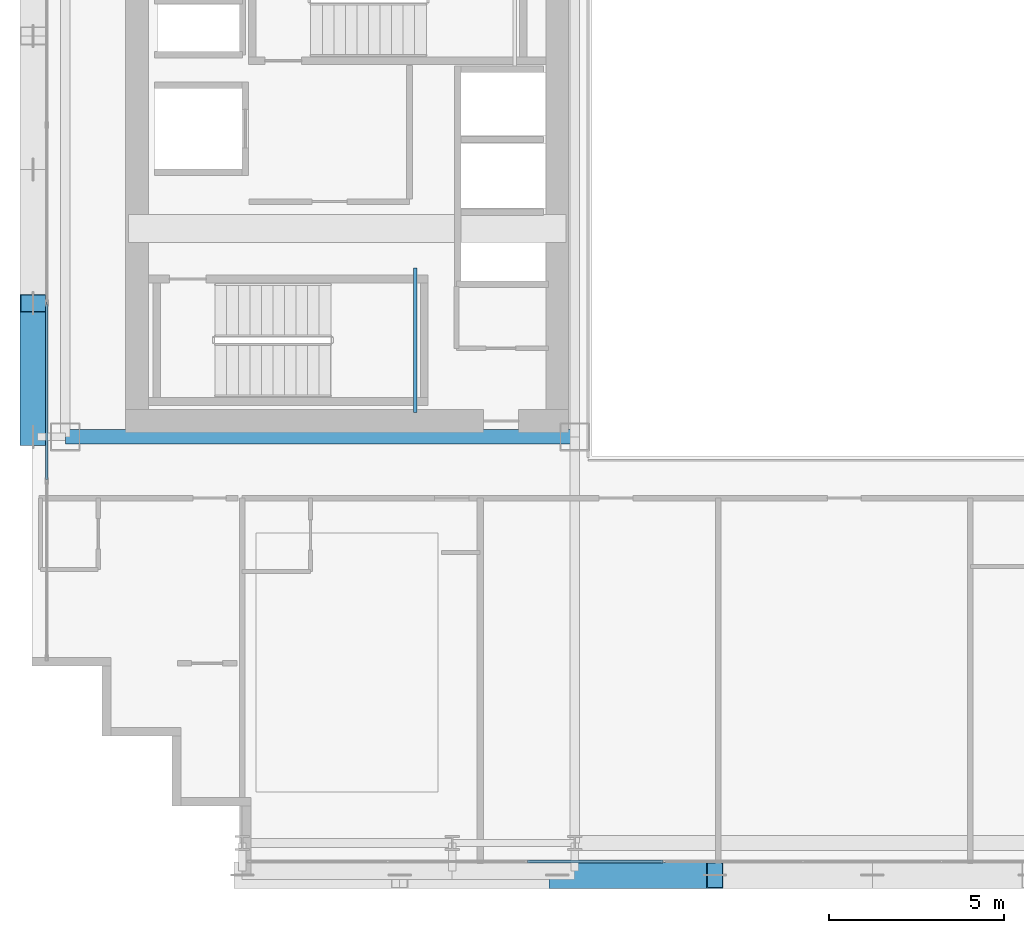
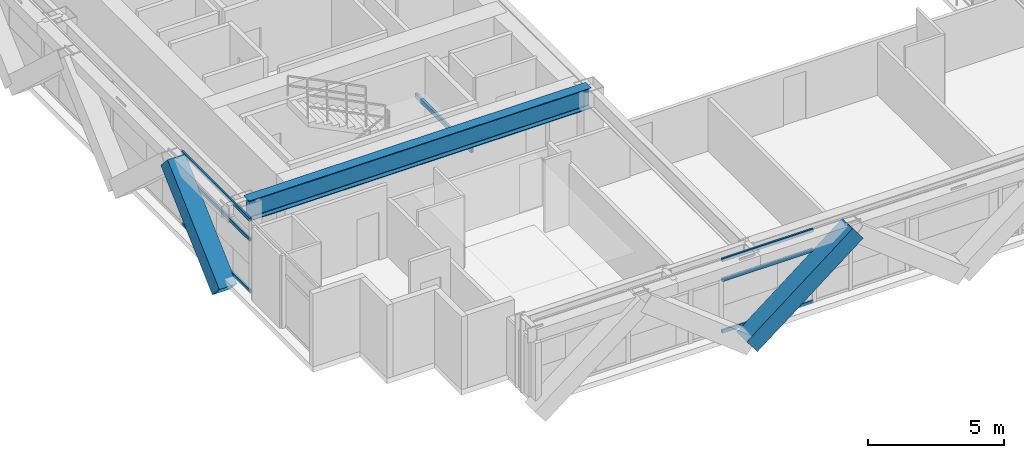
# One storey, part 4 of 36: 8 members, 2 beams, 2 elements without a shape of their own.
"""IFC4 building model written with IfcOpenShell, lengths in metres."""

from ifc_helpers import new_model, si_unit, direction, frame, origin, origin_2d, place, context, subcontext, project, spatial, hollow_rectangle, i_section, extrude, source, transform, mapped, material, layer, layer_set, material_profile, profile_set, type_object, element, aggregate, save


model = new_model("IFC4")

# Units and contexts
model_context = context("Model", 3, precision=1e-05, world=origin(), true_north=direction((0.0, 1.0)))
body_context = subcontext(model_context, "Body", "Model", "MODEL_VIEW")
ifc_project = project(units=[si_unit("LENGTHUNIT", "METRE"), si_unit("AREAUNIT", "SQUARE_METRE"), si_unit("VOLUMEUNIT", "CUBIC_METRE"), si_unit("PLANEANGLEUNIT", "RADIAN"), si_unit("MASSUNIT", "GRAM", prefix="KILO")], contexts=[model_context])

# Site, building, storey
site_placement = place(None, origin())
site = spatial("IfcSite", under=ifc_project, at=site_placement, CompositionType="ELEMENT")
building_placement = place(site_placement, origin())
building = spatial("IfcBuilding", under=site, at=building_placement, Name="Ocotamira Hotel", CompositionType="ELEMENT")
storey_placement = place(building_placement, frame((0.0, 0.0, 147.60009765625)))
storey = spatial("IfcBuildingStorey", under=building, at=storey_placement, Name="L37", CompositionType="ELEMENT", Elevation=147.60009765625)

# Beams
ifc_material_1 = material(Name="Steel ASTM A500 Grade C", Category="steel")
ifc_material_profile_1 = material_profile(ifc_material_1, hollow_rectangle(XDim=0.10009765625, YDim=0.199951171875, WallThickness=0.008056640625, at=origin_2d()), Name="HSS200X100X8")
ifc_profile_set_1 = profile_set([ifc_material_profile_1], Name="Steel ASTM A500 Grade C")
beam_type_1 = type_object("IfcBeamType", Name="BM-STLDG-HSS200", PredefinedType="BEAM", material=ifc_profile_set_1)
shared_shape_1 = source(origin(), body_context, "Body", "SweptSolid", [
    extrude(hollow_rectangle(XDim=0.10009765625, YDim=0.199951171875, WallThickness=0.008056640625, at=origin_2d()), origin(), (0.0, 0.0, 1.0), 4.1201171875),
])
beam_1_placement = place(storey_placement, frame((18.949951171875, 15.25, 1.5), z_axis=(0.0, 1.0, 0.0), x_axis=(-1.0, 0.0, 0.0)))
element("IfcBeam", 1, at=beam_1_placement, inside=storey, type_object=beam_type_1, Name="L37 Stair ST-1 Landing Bearer 1", PredefinedType="BEAM", context=body_context, shape_type="MappedRepresentation", body=[
    mapped(shared_shape_1, transform((0.0, 0.0, 0.0), scale=1.0)),
])
ifc_material_2 = material(Name="Steel ASTM A992 Grade 50", Category="steel")
ifc_material_profile_2 = material_profile(ifc_material_2, i_section(OverallWidth=0.41796875, OverallDepth=0.927001953125, WebThickness=0.019287109375, FlangeThickness=0.031982421875, FilletRadius=0.02392578125, at=origin_2d()), Name="W36X231")
ifc_profile_set_2 = profile_set([ifc_material_profile_2], Name="Steel ASTM A992 Grade 50")
beam_type_2 = type_object("IfcBeamType", Name="BM-GIRD-W36X231", PredefinedType="BEAM", material=ifc_profile_set_2)
shared_shape_2 = source(origin(), body_context, "Body", "SweptSolid", [
    extrude(i_section(OverallWidth=0.41796875, OverallDepth=0.927001953125, WebThickness=0.019287109375, FlangeThickness=0.031982421875, FilletRadius=0.02392578125, at=origin_2d()), origin(), (0.0, 0.0, 1.0), 14.550048828125),
])
beam_2_placement = place(storey_placement, frame((8.949951171875, 14.550048828125, 2.81640625), z_axis=(1.0, 0.0, 0.0), x_axis=(0.0, 1.0, 0.0)))
element("IfcBeam", 2, at=beam_2_placement, inside=storey, type_object=beam_type_2, Name="L37 Girder Y14.55 X8.95-23.5", PredefinedType="BEAM", context=body_context, shape_type="MappedRepresentation", body=[
    mapped(shared_shape_2, transform((0.0, 0.0, 0.0), scale=1.0)),
])

# Members
ifc_material_3 = material(Name="Pale-metal coated steel ASTM A913 Grade 65", Category="steel")
ifc_material_profile_3 = material_profile(ifc_material_3, hollow_rectangle(XDim=0.75, YDim=0.75, WallThickness=0.028076171875, at=origin_2d()), Name="BOX750X750X28")
ifc_profile_set_3 = profile_set([ifc_material_profile_3], Name="Pale-metal coated steel ASTM A913 Grade 65")
member_type_1 = type_object("IfcMemberType", Name="MEM-EXO-BOX750", PredefinedType="BRACE", material=ifc_profile_set_3)
shared_shape_3 = source(origin(), body_context, "Body", "SweptSolid", [
    extrude(hollow_rectangle(XDim=0.75, YDim=0.75, WallThickness=0.028076171875, at=origin_2d()), origin(), (0.0, 0.0, 1.0), 5.713134765625),
])
member_1_placement = place(storey_placement, frame((23.0, 2.030029296875, -0.489990234375), z_axis=(0.787671799809, 0.0, 0.616095070412), x_axis=(0.0, 1.0, 0.0)))
element("IfcMember", 3, at=member_1_placement, inside=storey, type_object=member_type_1, Name="L37 Exoskeleton Diagrid S1.1", PredefinedType="BRACE", context=body_context, shape_type="MappedRepresentation", body=[
    mapped(shared_shape_3, transform((0.0, 0.0, 0.0), scale=1.0)),
])
shared_shape_4 = source(origin(), body_context, "Body", "SweptSolid", [
    extrude(hollow_rectangle(XDim=0.75, YDim=0.75, WallThickness=0.028076171875, at=origin_2d()), origin(), (0.0, 0.0, 1.0), 5.19189453125),
])
member_2_placement = place(storey_placement, frame((8.030029296875, 14.550048828125, -0.489990234375), z_axis=(0.0, 0.735118858477, 0.677938244909), x_axis=(-1.0, 0.0, 0.0)))
element("IfcMember", 4, at=member_2_placement, inside=storey, type_object=member_type_1, Name="L37 Exoskeleton Diagrid W0.1", PredefinedType="BRACE", context=body_context, shape_type="MappedRepresentation", body=[
    mapped(shared_shape_4, transform((0.0, 0.0, 0.0), scale=1.0)),
])

# Curtain wall, members
ifc_material_4 = material(Name="Anodised pale-metal aluminium and solar glass", Category="aluminium")
ifc_layer = layer(ifc_material_4, 0.179931640625)
ifc_layer_set = layer_set([ifc_layer], Name="Anodised pale-metal aluminium and solar glass")
curtain_wall_type = type_object("IfcCurtainWallType", Name="CW-SYS3-Z2", PredefinedType="NOTDEFINED", material=ifc_layer_set)
curtain_wall_1_placement = place(storey_placement, origin())
curtain_wall_1 = element("IfcCurtainWall", 5, at=curtain_wall_1_placement, inside=storey, type_object=curtain_wall_type, Name="L37 Curtain Wall CW-3 CW-L37-S1", PredefinedType="NOTDEFINED")
ifc_material_5 = material(Name="Anodised pale-metal aluminium 6063-T6", Category="aluminium")
ifc_material_profile_4 = material_profile(ifc_material_5, hollow_rectangle(XDim=0.074951171875, YDim=0.14990234375, WallThickness=0.006103515625, at=origin_2d()), Name="HSS150X75X6")
ifc_profile_set_4 = profile_set([ifc_material_profile_4], Name="Anodised pale-metal aluminium 6063-T6")
member_type_2 = type_object("IfcMemberType", Name="CWT-150X75", PredefinedType="USERDEFINED", material=ifc_profile_set_4)
shared_shape_5 = source(origin(), body_context, "Body", "SweptSolid", [
    extrude(hollow_rectangle(XDim=0.074951171875, YDim=0.14990234375, WallThickness=0.006103515625, at=origin_2d()), origin(), (0.0, 0.0, 1.0), 3.87548828125),
])
member_3_placement = place(storey_placement, frame((22.151123046875, 2.419921875, 0.037353515625), z_axis=(1.0, 0.0, 0.0), x_axis=(0.0, 1.0, 0.0)))
member_3 = element("IfcMember", 6, at=member_3_placement, type_object=member_type_2, Name="CW-3 transom 3.1", ObjectType="TRANSOM", PredefinedType="USERDEFINED", context=body_context, shape_type="MappedRepresentation", body=[
    mapped(shared_shape_5, transform((0.0, 0.0, 0.0), scale=1.0)),
])
member_4_placement = place(storey_placement, frame((22.151123046875, 2.419921875, 2.349853515625), z_axis=(1.0, 0.0, 0.0), x_axis=(0.0, 1.0, 0.0)))
member_4 = element("IfcMember", 7, at=member_4_placement, type_object=member_type_2, Name="CW-3 transom 3.2", ObjectType="TRANSOM", PredefinedType="USERDEFINED", context=body_context, shape_type="MappedRepresentation", body=[
    mapped(shared_shape_5, transform((0.0, 0.0, 0.0), scale=1.0)),
])
member_5_placement = place(storey_placement, frame((22.151123046875, 2.419921875, 3.242431640625), z_axis=(1.0, 0.0, 0.0), x_axis=(0.0, 1.0, 0.0)))
member_5 = element("IfcMember", 8, at=member_5_placement, type_object=member_type_2, Name="CW-3 transom 3.3", ObjectType="TRANSOM", PredefinedType="USERDEFINED", context=body_context, shape_type="MappedRepresentation", body=[
    mapped(shared_shape_5, transform((0.0, 0.0, 0.0), scale=1.0)),
])
aggregate(curtain_wall_1, [member_3, member_4, member_5])

curtain_wall_2_placement = place(storey_placement, origin())
curtain_wall_2 = element("IfcCurtainWall", 9, at=curtain_wall_2_placement, inside=storey, type_object=curtain_wall_type, Name="L37 Curtain Wall CW-3 CW-L37-W", PredefinedType="NOTDEFINED")
shared_shape_6 = source(origin(), body_context, "Body", "SweptSolid", [
    extrude(hollow_rectangle(XDim=0.074951171875, YDim=0.14990234375, WallThickness=0.006103515625, at=origin_2d()), origin(), (0.0, 0.0, 1.0), 5.005859375),
])
member_6_placement = place(storey_placement, frame((8.419921875, 13.32568359375, 0.037353515625), z_axis=(0.0, 1.0, 0.0), x_axis=(-1.0, 0.0, 0.0)))
member_6 = element("IfcMember", 10, at=member_6_placement, type_object=member_type_2, Name="CW-3 transom 2.1", ObjectType="TRANSOM", PredefinedType="USERDEFINED", context=body_context, shape_type="MappedRepresentation", body=[
    mapped(shared_shape_6, transform((0.0, 0.0, 0.0), scale=1.0)),
])
member_7_placement = place(storey_placement, frame((8.419921875, 13.32568359375, 2.349853515625), z_axis=(0.0, 1.0, 0.0), x_axis=(-1.0, 0.0, 0.0)))
member_7 = element("IfcMember", 11, at=member_7_placement, type_object=member_type_2, Name="CW-3 transom 2.2", ObjectType="TRANSOM", PredefinedType="USERDEFINED", context=body_context, shape_type="MappedRepresentation", body=[
    mapped(shared_shape_6, transform((0.0, 0.0, 0.0), scale=1.0)),
])
member_8_placement = place(storey_placement, frame((8.419921875, 13.32568359375, 3.242431640625), z_axis=(0.0, 1.0, 0.0), x_axis=(-1.0, 0.0, 0.0)))
member_8 = element("IfcMember", 12, at=member_8_placement, type_object=member_type_2, Name="CW-3 transom 2.3", ObjectType="TRANSOM", PredefinedType="USERDEFINED", context=body_context, shape_type="MappedRepresentation", body=[
    mapped(shared_shape_6, transform((0.0, 0.0, 0.0), scale=1.0)),
])
aggregate(curtain_wall_2, [member_6, member_7, member_8])

save(model, "model.ifc")
